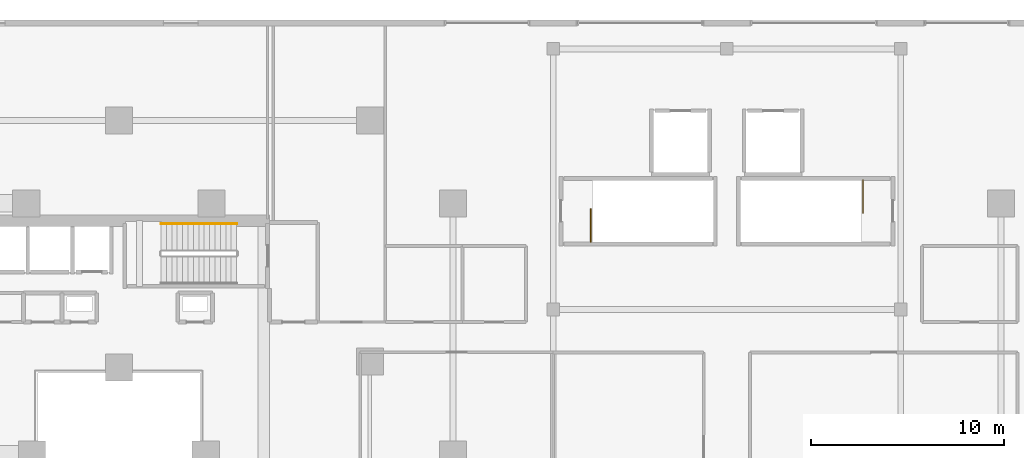
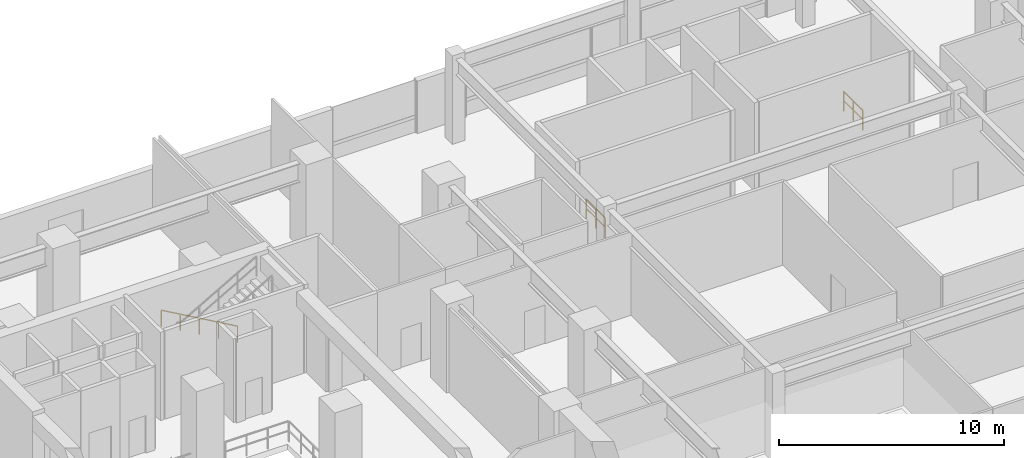
# One storey, part 24 of 25: 3 railings.
"""IFC4 building model written with IfcOpenShell, lengths in metres."""

from ifc_helpers import new_model, si_unit, direction, frame, origin, origin_2d, place, context, subcontext, project, spatial, rectangle, extrude, material, type_object, element, save


model = new_model("IFC4")

# Units and contexts
model_context = context("Model", 3, precision=1e-05, world=origin(), true_north=direction((0.0, 1.0)))
body_context = subcontext(model_context, "Body", "Model", "MODEL_VIEW")
ifc_project = project(units=[si_unit("LENGTHUNIT", "METRE"), si_unit("AREAUNIT", "SQUARE_METRE"), si_unit("VOLUMEUNIT", "CUBIC_METRE"), si_unit("PLANEANGLEUNIT", "RADIAN"), si_unit("MASSUNIT", "GRAM", prefix="KILO")], contexts=[model_context])

# Site, building, storey
site_placement = place(None, origin())
site = spatial("IfcSite", under=ifc_project, at=site_placement, CompositionType="ELEMENT")
building_placement = place(site_placement, origin())
building = spatial("IfcBuilding", under=site, at=building_placement, Name="Thornwick Lancets Civic Towers", CompositionType="ELEMENT")
storey_placement = place(building_placement, frame((0.0, 0.0, 23.10009765625)))
storey = spatial("IfcBuildingStorey", under=building, at=storey_placement, Name="L05", CompositionType="ELEMENT", Elevation=23.10009765625)

# Railings
ifc_material_1 = material(Name="Brushed stainless steel S355", Category="steel")
railing_type_1 = type_object("IfcRailingType", Name="RAIL_HANDRAIL", PredefinedType="HANDRAIL", material=ifc_material_1)
railing_1_placement = place(storey_placement, frame((31.60009765625, 38.949951171875, 0.159912109375)))
element("IfcRailing", 1, at=railing_1_placement, inside=storey, type_object=railing_type_1, Name="L05 ST-A2 stair handrail 1", PredefinedType="HANDRAIL", context=body_context, shape_type="SweptSolid", body=[
    extrude(rectangle(XDim=0.048095703125, YDim=0.048095703125, at=origin_2d()), frame((0.0, 0.0, 0.8857421875), z_axis=(-0.86825312469, 0.0, 0.496121468458), x_axis=(0.0, -1.0, 0.0)), (0.0, 0.0, 1.0), 4.514892578125),
    extrude(rectangle(XDim=0.0419921875, YDim=0.0419921875, at=origin_2d()), origin(), (0.0, 0.0, 1.0), 0.855712890625),
    extrude(rectangle(XDim=0.0419921875, YDim=0.0419921875, at=origin_2d()), frame((-0.97998046875, 0.0, 0.56005859375)), (0.0, 0.0, 1.0), 0.855712890625),
    extrude(rectangle(XDim=0.0419921875, YDim=0.0419921875, at=origin_2d()), frame((-1.9599609375, 0.0, 1.1201171875)), (0.0, 0.0, 1.0), 0.855712890625),
    extrude(rectangle(XDim=0.0419921875, YDim=0.0419921875, at=origin_2d()), frame((-2.940185546875, 0.0, 1.679931640625)), (0.0, 0.0, 1.0), 0.855712890625),
    extrude(rectangle(XDim=0.0419921875, YDim=0.0419921875, at=origin_2d()), frame((-3.920166015625, 0.0, 2.239990234375)), (0.0, 0.0, 1.0), 0.855712890625),
])
ifc_material_2 = material(Name="Steel S355JR", Category="steel")
railing_type_2 = type_object("IfcRailingType", Name="RAIL_STAIR_GUARD", PredefinedType="GUARDRAIL", material=ifc_material_2)
railing_2_placement = place(storey_placement, frame((49.949951171875, 38.0, 0.0)))
element("IfcRailing", 2, at=railing_2_placement, inside=storey, type_object=railing_type_2, Name="L05 ST-P5 top well guard 1", PredefinedType="GUARDRAIL", context=body_context, shape_type="SweptSolid", body=[
    extrude(rectangle(XDim=0.048095703125, YDim=0.048095703125, at=origin_2d()), frame((0.0, 0.0, 1.076171875), z_axis=(0.0, 1.0, 0.0), x_axis=(-1.0, 0.0, 0.0)), (0.0, 0.0, 1.0), 1.699951171875),
    extrude(rectangle(XDim=0.0419921875, YDim=0.0419921875, at=origin_2d()), frame((0.0, 0.03759765625, 0.572021484375), z_axis=(0.0, 1.0, 0.0), x_axis=(-1.0, 0.0, 0.0)), (0.0, 0.0, 1.0), 0.77490234375),
    extrude(rectangle(XDim=0.0419921875, YDim=0.0419921875, at=origin_2d()), frame((0.0, 0.887451171875, 0.572021484375), z_axis=(0.0, 1.0, 0.0), x_axis=(-1.0, 0.0, 0.0)), (0.0, 0.0, 1.0), 0.77490234375),
    extrude(rectangle(XDim=0.0419921875, YDim=0.0419921875, at=origin_2d()), origin(), (0.0, 0.0, 1.0), 1.0458984375),
    extrude(rectangle(XDim=0.0419921875, YDim=0.0419921875, at=origin_2d()), frame((0.0, 0.85009765625, 0.0)), (0.0, 0.0, 1.0), 1.0458984375),
    extrude(rectangle(XDim=0.0419921875, YDim=0.0419921875, at=origin_2d()), frame((0.0, 1.699951171875, 0.0)), (0.0, 0.0, 1.0), 1.0458984375),
])
railing_3_placement = place(storey_placement, frame((64.050048828125, 41.199951171875, 0.0)))
element("IfcRailing", 3, at=railing_3_placement, inside=storey, type_object=railing_type_2, Name="L05 ST-P6 top well guard 1", PredefinedType="GUARDRAIL", context=body_context, shape_type="SweptSolid", body=[
    extrude(rectangle(XDim=0.048095703125, YDim=0.048095703125, at=origin_2d()), frame((0.0, 0.0, 1.076171875), z_axis=(0.0, -1.0, 0.0), x_axis=(1.0, 0.0, 0.0)), (0.0, 0.0, 1.0), 1.699951171875),
    extrude(rectangle(XDim=0.0419921875, YDim=0.0419921875, at=origin_2d()), frame((0.0, -0.03759765625, 0.572021484375), z_axis=(0.0, -1.0, 0.0), x_axis=(1.0, 0.0, 0.0)), (0.0, 0.0, 1.0), 0.77490234375),
    extrude(rectangle(XDim=0.0419921875, YDim=0.0419921875, at=origin_2d()), frame((0.0, -0.887451171875, 0.572021484375), z_axis=(0.0, -1.0, 0.0), x_axis=(1.0, 0.0, 0.0)), (0.0, 0.0, 1.0), 0.77490234375),
    extrude(rectangle(XDim=0.0419921875, YDim=0.0419921875, at=origin_2d()), origin(), (0.0, 0.0, 1.0), 1.0458984375),
    extrude(rectangle(XDim=0.0419921875, YDim=0.0419921875, at=origin_2d()), frame((0.0, -0.85009765625, 0.0)), (0.0, 0.0, 1.0), 1.0458984375),
    extrude(rectangle(XDim=0.0419921875, YDim=0.0419921875, at=origin_2d()), frame((0.0, -1.699951171875, 0.0)), (0.0, 0.0, 1.0), 1.0458984375),
])

save(model, "model.ifc")
